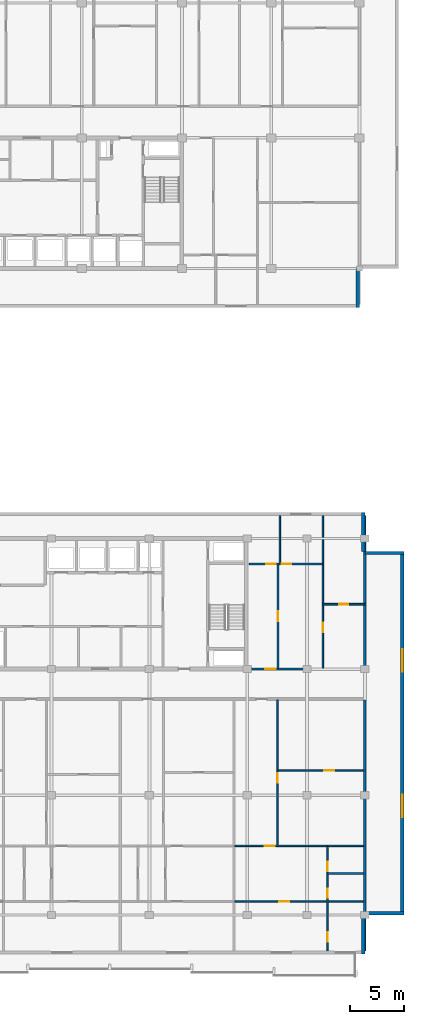
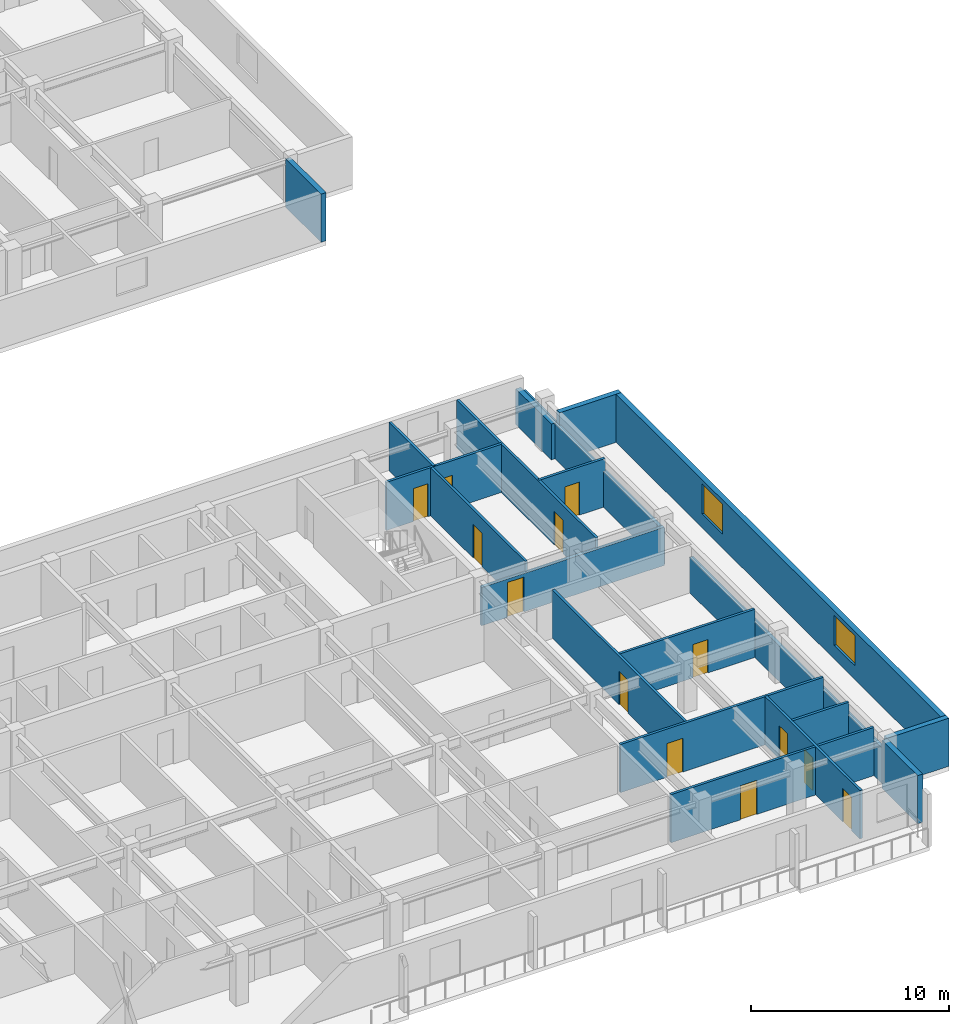
# One storey, part 9 of 21: 20 walls, 13 doors, 2 windows, 15 openings.
"""IFC4 building model written with IfcOpenShell, lengths in metres."""

from ifc_helpers import new_model, si_unit, direction, frame, frame_2d, origin, place, context, subcontext, project, spatial, rectangle, extrude, material, layer, layer_set, type_object, element, fill, save


model = new_model("IFC4")

# Units and contexts
model_context = context("Model", 3, precision=1e-05, world=origin(), true_north=direction((0.0, 1.0)))
body_context = subcontext(model_context, "Body", "Model", "MODEL_VIEW")
ifc_project = project(units=[si_unit("LENGTHUNIT", "METRE"), si_unit("AREAUNIT", "SQUARE_METRE"), si_unit("VOLUMEUNIT", "CUBIC_METRE"), si_unit("PLANEANGLEUNIT", "RADIAN"), si_unit("MASSUNIT", "GRAM", prefix="KILO")], contexts=[model_context])

# Site, building, storey
site_placement = place(None, origin())
site = spatial("IfcSite", under=ifc_project, at=site_placement, CompositionType="ELEMENT")
building_placement = place(site_placement, origin())
building = spatial("IfcBuilding", under=site, at=building_placement, Name="Korimba Cascade Residences", CompositionType="ELEMENT")
storey_placement = place(building_placement, frame((0.0, 0.0, 175.10009765625)))
storey = spatial("IfcBuildingStorey", under=building, at=storey_placement, Name="L50", CompositionType="ELEMENT", Elevation=175.10009765625)

# Walls
ifc_material_1 = material(Name="Precast concrete C40/50", Category="concrete")
ifc_layer_1 = layer(ifc_material_1, 0.300048828125)
ifc_layer_set_1 = layer_set([ifc_layer_1], Name="Precast concrete C40/50")
wall_type_1 = type_object("IfcWallType", Name="EW-STONE-300", PredefinedType="STANDARD", material=ifc_layer_set_1)
wall_1_placement = place(storey_placement, frame((128.25, 51.60009765625, 0.0), z_axis=(0.0, 0.0, 1.0), x_axis=(0.0, 1.0, 0.0)))
element("IfcWall", 1, at=wall_1_placement, inside=storey, type_object=wall_type_1, Name="L50 T1 Perimeter Stone Wall E01", PredefinedType="STANDARD", context=body_context, shape_type="SweptSolid", body=[
    extrude(rectangle(XDim=3.599853515625, YDim=0.300048828125, at=frame_2d((1.7998046875, 0.0))), origin(), (0.0, 0.0, 1.0), 2.969970703125),
])
for number, where, z_axis, x_axis, name in (
    (2, (128.75, -7.800048828125, 0.0), (0.0, 0.0, 1.0), (0.0, 1.0, 0.0), "L50 T2 Perimeter Stone Wall E01"),
    (3, (128.89990234375, -4.050048828125, 0.0), (0.0, 0.0, 1.0), (1.0, 0.0, 0.0), "L50 T2 Perimeter Stone Wall E02"),
):
    element("IfcWall", number, at=place(storey_placement, frame(where, z_axis=z_axis, x_axis=x_axis)), inside=storey, type_object=wall_type_1, Name=name, PredefinedType="STANDARD", context=body_context, shape_type="SweptSolid", body=[
        extrude(rectangle(XDim=3.60009765625, YDim=0.300048828125, at=frame_2d((1.800048828125, 0.0))), origin(), (0.0, 0.0, 1.0), 2.969970703125),
    ])

# Wall, openings, windows
wall_2_placement = place(storey_placement, frame((132.35009765625, -4.199951171875, 0.0), z_axis=(0.0, 0.0, 1.0), x_axis=(0.0, 1.0, 0.0)))
wall_2 = element("IfcWall", 4, at=wall_2_placement, inside=storey, type_object=wall_type_1, Name="L50 T2 Perimeter Stone Wall E03", PredefinedType="STANDARD", context=body_context, shape_type="SweptSolid", body=[
    extrude(rectangle(XDim=33.39990234375, YDim=0.300048828125, at=frame_2d((16.699951171875, 0.0))), origin(), (0.0, 0.0, 1.0), 2.969970703125),
])
opening_1_placement = place(wall_2_placement, frame((8.969970703125, 0.0, 0.85009765625)))
opening_1 = element("IfcOpeningElement", 5, at=opening_1_placement, cuts=wall_2, Name="Opening W-03", PredefinedType="OPENING", context=body_context, shape_type="SweptSolid", body=[
    extrude(rectangle(XDim=2.10009765625, YDim=1.85009765625, at=frame_2d((1.050048828125, 0.925048828125))), frame((0.0, 0.16015625, 0.0), z_axis=(0.0, -1.0, 0.0), x_axis=(1.0, 0.0, 0.0)), (0.0, 0.0, 1.0), 0.320068359375),
])
opening_2_placement = place(wall_2_placement, frame((22.330078125, 0.0, 0.85009765625)))
opening_2 = element("IfcOpeningElement", 6, at=opening_2_placement, cuts=wall_2, Name="Opening W-03", PredefinedType="OPENING", context=body_context, shape_type="SweptSolid", body=[
    extrude(rectangle(XDim=2.10009765625, YDim=1.85009765625, at=frame_2d((1.050048828125, 0.925048828125))), frame((0.0, 0.16015625, 0.0), z_axis=(0.0, -1.0, 0.0), x_axis=(1.0, 0.0, 0.0)), (0.0, 0.0, 1.0), 0.320068359375),
])
ifc_material_2 = material(Name="Double-Glazed Aluminium Window", Category="aluminium")
window_type = type_object("IfcWindowType", Name="WIN-CRN-2100", PartitioningType="DOUBLE_PANEL_HORIZONTAL", PredefinedType="WINDOW", material=ifc_material_2)
window_1_placement = place(opening_1_placement, origin())
window_1 = element("IfcWindow", 7, at=window_1_placement, inside=storey, type_object=window_type, Name="L50 T2 End View Window 3.1", OverallHeight=1.85009765625, OverallWidth=2.10009765625, PartitioningType="DOUBLE_PANEL_HORIZONTAL", PredefinedType="WINDOW", context=body_context, shape_type="SweptSolid", body=[
    extrude(rectangle(XDim=2.10009765625, YDim=1.85009765625, at=frame_2d((1.050048828125, 0.925048828125))), frame((0.0, 0.030029296875, 0.0), z_axis=(0.0, -1.0, 0.0), x_axis=(1.0, 0.0, 0.0)), (0.0, 0.0, 1.0), 0.06005859375),
])
fill(opening_1, window_1)
window_2_placement = place(opening_2_placement, origin())
window_2 = element("IfcWindow", 8, at=window_2_placement, inside=storey, type_object=window_type, Name="L50 T2 End View Window 3.2", OverallHeight=1.85009765625, OverallWidth=2.10009765625, PartitioningType="DOUBLE_PANEL_HORIZONTAL", PredefinedType="WINDOW", context=body_context, shape_type="SweptSolid", body=[
    extrude(rectangle(XDim=2.10009765625, YDim=1.85009765625, at=frame_2d((1.050048828125, 0.925048828125))), frame((0.0, 0.030029296875, 0.0), z_axis=(0.0, -1.0, 0.0), x_axis=(1.0, 0.0, 0.0)), (0.0, 0.0, 1.0), 0.06005859375),
])
fill(opening_2, window_2)

# Walls
wall_3_placement = place(storey_placement, frame((132.5, 29.050048828125, 0.0), z_axis=(0.0, 0.0, 1.0), x_axis=(-1.0, 0.0, 0.0)))
element("IfcWall", 9, at=wall_3_placement, inside=storey, type_object=wall_type_1, Name="L50 T2 Perimeter Stone Wall E04", PredefinedType="STANDARD", context=body_context, shape_type="SweptSolid", body=[
    extrude(rectangle(XDim=3.60009765625, YDim=0.300048828125, at=frame_2d((1.800048828125, 0.0))), origin(), (0.0, 0.0, 1.0), 2.969970703125),
])
wall_4_placement = place(storey_placement, frame((128.75, 29.199951171875, 0.0), z_axis=(0.0, 0.0, 1.0), x_axis=(0.0, 1.0, 0.0)))
element("IfcWall", 10, at=wall_4_placement, inside=storey, type_object=wall_type_1, Name="L50 T2 Perimeter Stone Wall E05", PredefinedType="STANDARD", context=body_context, shape_type="SweptSolid", body=[
    extrude(rectangle(XDim=3.60009765625, YDim=0.300048828125, at=frame_2d((1.800048828125, 0.0))), origin(), (0.0, 0.0, 1.0), 2.2001953125),
])
ifc_layer_2 = layer(ifc_material_1, 0.199951171875)
ifc_layer_set_2 = layer_set([ifc_layer_2], Name="Precast concrete C40/50")
wall_type_2 = type_object("IfcWallType", Name="WAL-IT-200", PredefinedType="PARTITIONING", material=ifc_layer_set_2)
wall_5_placement = place(storey_placement, frame((128.89990234375, 18.39990234375, 0.0), z_axis=(0.0, 0.0, 1.0), x_axis=(0.0, 1.0, 0.0)))
element("IfcWall", 11, at=wall_5_placement, inside=storey, type_object=wall_type_2, Name="L50 Partition Wall WAL-L50-T2-FE-WR", PredefinedType="PARTITIONING", context=body_context, shape_type="SweptSolid", body=[
    extrude(rectangle(XDim=14.10009765625, YDim=0.199951171875, at=frame_2d((7.050048828125, 0.0))), origin(), (0.0, 0.0, 1.0), 2.2001953125),
])

# Wall, opening, door
wall_6_placement = place(storey_placement, frame((118.25, 18.39990234375, 0.0), z_axis=(0.0, 0.0, 1.0), x_axis=(1.0, 0.0, 0.0)))
wall_6 = element("IfcWall", 12, at=wall_6_placement, inside=storey, type_object=wall_type_2, Name="L50 Partition Wall WAL-L50-T2-FE-S", PredefinedType="PARTITIONING", context=body_context, shape_type="SweptSolid", body=[
    extrude(rectangle(XDim=10.64990234375, YDim=0.199951171875, at=frame_2d((5.324951171875, 0.0))), origin(), (0.0, 0.0, 1.0), 2.357666015625),
])
opening_3_placement = place(wall_6_placement, frame((1.510009765625, 0.0, 0.0)))
opening_3 = element("IfcOpeningElement", 13, at=opening_3_placement, cuts=wall_6, Name="Opening D-UN1", PredefinedType="OPENING", context=body_context, shape_type="SweptSolid", body=[
    extrude(rectangle(XDim=0.949951171875, YDim=2.14990234375, at=frame_2d((0.47509765625, 1.074951171875))), frame((0.0, 0.10986328125, 0.0), z_axis=(0.0, -1.0, 0.0), x_axis=(1.0, 0.0, 0.0)), (0.0, 0.0, 1.0), 0.219970703125),
])
ifc_material_3 = material(Name="Fire-Rated Hardwood Apartment Entrance Door", Category="wood")
door_type_1 = type_object("IfcDoorType", Name="DR-FD60-950", OperationType="NOTDEFINED", PredefinedType="DOOR", material=ifc_material_3)
door_1_placement = place(opening_3_placement, origin())
door_1 = element("IfcDoor", 14, at=door_1_placement, inside=storey, type_object=door_type_1, Name="L50-T2-FE Entrance Door", OperationType="SINGLE_SWING_LEFT", OverallHeight=2.14990234375, OverallWidth=0.949951171875, PredefinedType="DOOR", context=body_context, shape_type="SweptSolid", body=[
    extrude(rectangle(XDim=0.949951171875, YDim=2.14990234375, at=frame_2d((0.47509765625, 1.074951171875))), frame((0.0, 0.02490234375, 0.0), z_axis=(0.0, -1.0, 0.0), x_axis=(1.0, 0.0, 0.0)), (0.0, 0.0, 1.0), 0.050048828125),
])
fill(opening_3, door_1)

# Wall
wall_7_placement = place(storey_placement, frame((128.89990234375, -7.5, 0.0), z_axis=(0.0, 0.0, 1.0), x_axis=(0.0, 1.0, 0.0)))
element("IfcWall", 15, at=wall_7_placement, inside=storey, type_object=wall_type_2, Name="L50 Partition Wall WAL-L50-T2-BNDWR", PredefinedType="PARTITIONING", context=body_context, shape_type="SweptSolid", body=[
    extrude(rectangle(XDim=23.070068359375, YDim=0.199951171875, at=frame_2d((11.53515625, 0.0))), origin(), (0.0, 0.0, 1.0), 2.2001953125),
])

# Wall, opening, door
ifc_material_4 = material(Name="Insulated Acoustic Stud Partition", Category="gypsum")
ifc_layer_3 = layer(ifc_material_4, 0.14990234375)
ifc_layer_set_3 = layer_set([ifc_layer_3], Name="Insulated Acoustic Stud Partition")
wall_type_3 = type_object("IfcWallType", Name="WAL-PART-150", PredefinedType="PARTITIONING", material=ifc_layer_set_3)
wall_8_placement = place(storey_placement, frame((125.050048828125, 24.35009765625, 0.0), z_axis=(0.0, 0.0, 1.0), x_axis=(1.0, 0.0, 0.0)))
wall_8 = element("IfcWall", 16, at=wall_8_placement, inside=storey, type_object=wall_type_3, Name="L50 Partition Wall WAL-L50-T2-FE-STH", PredefinedType="PARTITIONING", context=body_context, shape_type="SweptSolid", body=[
    extrude(rectangle(XDim=3.849853515625, YDim=0.14990234375, at=frame_2d((1.9248046875, 0.0))), origin(), (0.0, 0.0, 1.0), 2.969970703125),
])
opening_4_placement = place(wall_8_placement, frame((1.5048828125, 0.0, 0.0)))
opening_4 = element("IfcOpeningElement", 17, at=opening_4_placement, cuts=wall_8, Name="Opening D-BT1", PredefinedType="OPENING", context=body_context, shape_type="SweptSolid", body=[
    extrude(rectangle(XDim=0.840087890625, YDim=2.0400390625, at=frame_2d((0.419921875, 1.02001953125))), frame((0.0, 0.0849609375, 0.0), z_axis=(0.0, -1.0, 0.0), x_axis=(1.0, 0.0, 0.0)), (0.0, 0.0, 1.0), 0.169921875),
])
ifc_material_5 = material(Name="Moisture-Resistant Bathroom Timber Door", Category="wood")
door_type_2 = type_object("IfcDoorType", Name="DR-INT-850", OperationType="NOTDEFINED", PredefinedType="DOOR", material=ifc_material_5)
door_2_placement = place(opening_4_placement, origin())
door_2 = element("IfcDoor", 18, at=door_2_placement, inside=storey, type_object=door_type_2, Name="L50-T2-FE Dressing Store Door", OperationType="SINGLE_SWING_RIGHT", OverallHeight=2.0400390625, OverallWidth=0.840087890625, PredefinedType="DOOR", context=body_context, shape_type="SweptSolid", body=[
    extrude(rectangle(XDim=0.840087890625, YDim=2.0400390625, at=frame_2d((0.419921875, 1.02001953125))), frame((0.0, 0.02490234375, 0.0), z_axis=(0.0, -1.0, 0.0), x_axis=(1.0, 0.0, 0.0)), (0.0, 0.0, 1.0), 0.050048828125),
])
fill(opening_4, door_2)

wall_9_placement = place(storey_placement, frame((125.050048828125, 18.449951171875, 0.0), z_axis=(0.0, 0.0, 1.0), x_axis=(0.0, 1.0, 0.0)))
wall_9 = element("IfcWall", 19, at=wall_9_placement, inside=storey, type_object=wall_type_3, Name="L50 Partition Wall WAL-L50-T2-FE-STV", PredefinedType="PARTITIONING", context=body_context, shape_type="SweptSolid", body=[
    extrude(rectangle(XDim=14.050048828125, YDim=0.14990234375, at=frame_2d((7.02490234375, 0.0))), origin(), (0.0, 0.0, 1.0), 2.969970703125),
])
opening_5_placement = place(wall_9_placement, frame((3.320068359375, 0.0, 0.0)))
opening_5 = element("IfcOpeningElement", 20, at=opening_5_placement, cuts=wall_9, Name="Opening D-IN2", PredefinedType="OPENING", context=body_context, shape_type="SweptSolid", body=[
    extrude(rectangle(XDim=0.8798828125, YDim=2.06005859375, at=frame_2d((0.43994140625, 1.030029296875))), frame((0.0, 0.0849609375, 0.0), z_axis=(0.0, -1.0, 0.0), x_axis=(1.0, 0.0, 0.0)), (0.0, 0.0, 1.0), 0.169921875),
])
ifc_material_6 = material(Name="Acoustic Timber Bedroom Door", Category="wood")
door_type_3 = type_object("IfcDoorType", Name="DR-INT-880", OperationType="NOTDEFINED", PredefinedType="DOOR", material=ifc_material_6)
door_3_placement = place(opening_5_placement, origin())
door_3 = element("IfcDoor", 21, at=door_3_placement, inside=storey, type_object=door_type_3, Name="L50-T2-FE Study Door", OperationType="SINGLE_SWING_LEFT", OverallHeight=2.06005859375, OverallWidth=0.8798828125, PredefinedType="DOOR", context=body_context, shape_type="SweptSolid", body=[
    extrude(rectangle(XDim=0.8798828125, YDim=2.06005859375, at=frame_2d((0.43994140625, 1.030029296875))), frame((0.0, 0.02490234375, 0.0), z_axis=(0.0, -1.0, 0.0), x_axis=(1.0, 0.0, 0.0)), (0.0, 0.0, 1.0), 0.050048828125),
])
fill(opening_5, door_3)

wall_10_placement = place(storey_placement, frame((120.929931640625, 18.449951171875, 0.0), z_axis=(0.0, 0.0, 1.0), x_axis=(0.0, 1.0, 0.0)))
wall_10 = element("IfcWall", 22, at=wall_10_placement, inside=storey, type_object=wall_type_3, Name="L50 Partition Wall WAL-L50-T2-FE-VS", PredefinedType="PARTITIONING", context=body_context, shape_type="SweptSolid", body=[
    extrude(rectangle(XDim=9.60009765625, YDim=0.14990234375, at=frame_2d((4.800048828125, 0.0))), origin(), (0.0, 0.0, 1.0), 2.969970703125),
])
opening_6_placement = place(wall_10_placement, frame((4.340087890625, 0.0, 0.0)))
opening_6 = element("IfcOpeningElement", 23, at=opening_6_placement, cuts=wall_10, Name="Opening D-IN1", PredefinedType="OPENING", context=body_context, shape_type="SweptSolid", body=[
    extrude(rectangle(XDim=0.919921875, YDim=2.080078125, at=frame_2d((0.4599609375, 1.0400390625))), frame((0.0, 0.0849609375, 0.0), z_axis=(0.0, -1.0, 0.0), x_axis=(1.0, 0.0, 0.0)), (0.0, 0.0, 1.0), 0.169921875),
])
ifc_material_7 = material(Name="Acoustic Timber Living Door", Category="wood")
door_type_4 = type_object("IfcDoorType", Name="DR-INT-920", OperationType="NOTDEFINED", PredefinedType="DOOR", material=ifc_material_7)
door_4_placement = place(opening_6_placement, origin())
door_4 = element("IfcDoor", 24, at=door_4_placement, inside=storey, type_object=door_type_4, Name="L50-T2-FE Living Door", OperationType="SINGLE_SWING_RIGHT", OverallHeight=2.080078125, OverallWidth=0.919921875, PredefinedType="DOOR", context=body_context, shape_type="SweptSolid", body=[
    extrude(rectangle(XDim=0.919921875, YDim=2.080078125, at=frame_2d((0.4599609375, 1.0400390625))), frame((0.0, 0.02490234375, 0.0), z_axis=(0.0, -1.0, 0.0), x_axis=(1.0, 0.0, 0.0)), (0.0, 0.0, 1.0), 0.050048828125),
])
fill(opening_6, door_4)

# Wall
wall_11_placement = place(storey_placement, frame((121.10009765625, 28.050048828125, 0.0), z_axis=(0.0, 0.0, 1.0), x_axis=(0.0, 1.0, 0.0)))
element("IfcWall", 25, at=wall_11_placement, inside=storey, type_object=wall_type_3, Name="L50 Partition Wall WAL-L50-T2-FE-VN", PredefinedType="PARTITIONING", context=body_context, shape_type="SweptSolid", body=[
    extrude(rectangle(XDim=4.449951171875, YDim=0.14990234375, at=frame_2d((2.22509765625, 0.0))), origin(), (0.0, 0.0, 1.0), 2.969970703125),
])

# Wall, openings, doors
wall_12_placement = place(storey_placement, frame((118.27001953125, 28.050048828125, 0.0), z_axis=(0.0, 0.0, 1.0), x_axis=(1.0, 0.0, 0.0)))
wall_12 = element("IfcWall", 26, at=wall_12_placement, inside=storey, type_object=wall_type_3, Name="L50 Partition Wall WAL-L50-T2-FE-H", PredefinedType="PARTITIONING", context=body_context, shape_type="SweptSolid", body=[
    extrude(rectangle(XDim=6.760009765625, YDim=0.14990234375, at=frame_2d((3.3798828125, 0.0))), origin(), (0.0, 0.0, 1.0), 2.969970703125),
])
opening_7_placement = place(wall_12_placement, frame((1.58740234375, 0.0, 0.0)))
opening_7 = element("IfcOpeningElement", 27, at=opening_7_placement, cuts=wall_12, Name="Opening D-BT1", PredefinedType="OPENING", context=body_context, shape_type="SweptSolid", body=[
    extrude(rectangle(XDim=0.840087890625, YDim=2.0400390625, at=frame_2d((0.419921875, 1.02001953125))), frame((0.0, 0.0849609375, 0.0), z_axis=(0.0, -1.0, 0.0), x_axis=(1.0, 0.0, 0.0)), (0.0, 0.0, 1.0), 0.169921875),
])
opening_8_placement = place(wall_12_placement, frame((2.988037109375, 0.0, 0.0)))
opening_8 = element("IfcOpeningElement", 28, at=opening_8_placement, cuts=wall_12, Name="Opening D-IN2", PredefinedType="OPENING", context=body_context, shape_type="SweptSolid", body=[
    extrude(rectangle(XDim=0.8798828125, YDim=2.06005859375, at=frame_2d((0.43994140625, 1.030029296875))), frame((0.0, 0.0849609375, 0.0), z_axis=(0.0, -1.0, 0.0), x_axis=(1.0, 0.0, 0.0)), (0.0, 0.0, 1.0), 0.169921875),
])
door_5_placement = place(opening_7_placement, origin())
door_5 = element("IfcDoor", 29, at=door_5_placement, inside=storey, type_object=door_type_2, Name="L50-T2-FE Bathroom Door", OperationType="SINGLE_SWING_LEFT", OverallHeight=2.0400390625, OverallWidth=0.840087890625, PredefinedType="DOOR", context=body_context, shape_type="SweptSolid", body=[
    extrude(rectangle(XDim=0.840087890625, YDim=2.0400390625, at=frame_2d((0.419921875, 1.02001953125))), frame((0.0, 0.02490234375, 0.0), z_axis=(0.0, -1.0, 0.0), x_axis=(1.0, 0.0, 0.0)), (0.0, 0.0, 1.0), 0.050048828125),
])
fill(opening_7, door_5)
door_6_placement = place(opening_8_placement, origin())
door_6 = element("IfcDoor", 30, at=door_6_placement, inside=storey, type_object=door_type_3, Name="L50-T2-FE Bedroom Door", OperationType="SINGLE_SWING_RIGHT", OverallHeight=2.06005859375, OverallWidth=0.8798828125, PredefinedType="DOOR", context=body_context, shape_type="SweptSolid", body=[
    extrude(rectangle(XDim=0.8798828125, YDim=2.06005859375, at=frame_2d((0.43994140625, 1.030029296875))), frame((0.0, 0.02490234375, 0.0), z_axis=(0.0, -1.0, 0.0), x_axis=(1.0, 0.0, 0.0)), (0.0, 0.0, 1.0), 0.050048828125),
])
fill(opening_8, door_6)

# Wall, opening, door
wall_13_placement = place(storey_placement, frame((120.921875, 9.070068359375, 0.0), z_axis=(0.0, 0.0, 1.0), x_axis=(1.0, 0.0, 0.0)))
wall_13 = element("IfcWall", 31, at=wall_13_placement, inside=storey, type_object=wall_type_3, Name="L50 Partition Wall WAL-L50-T2-U05-FMH", PredefinedType="PARTITIONING", context=body_context, shape_type="SweptSolid", body=[
    extrude(rectangle(XDim=7.898193359375, YDim=0.14990234375, at=frame_2d((3.94921875, 0.0))), origin(), (0.0, 0.0, 1.0), 2.969970703125),
])
opening_9_placement = place(wall_13_placement, frame((4.267333984375, 0.0, 0.0)))
opening_9 = element("IfcOpeningElement", 32, at=opening_9_placement, cuts=wall_13, Name="Opening D-IN2", PredefinedType="OPENING", context=body_context, shape_type="SweptSolid", body=[
    extrude(rectangle(XDim=0.8798828125, YDim=2.06005859375, at=frame_2d((0.43994140625, 1.030029296875))), frame((0.0, 0.0849609375, 0.0), z_axis=(0.0, -1.0, 0.0), x_axis=(1.0, 0.0, 0.0)), (0.0, 0.0, 1.0), 0.169921875),
])
door_7_placement = place(opening_9_placement, origin())
door_7 = element("IfcDoor", 33, at=door_7_placement, inside=storey, type_object=door_type_3, Name="L50-T2-U05 Library Salon Door", OperationType="SINGLE_SWING_RIGHT", OverallHeight=2.06005859375, OverallWidth=0.8798828125, PredefinedType="DOOR", context=body_context, shape_type="SweptSolid", body=[
    extrude(rectangle(XDim=0.8798828125, YDim=2.06005859375, at=frame_2d((0.43994140625, 1.030029296875))), frame((0.0, 0.02490234375, 0.0), z_axis=(0.0, -1.0, 0.0), x_axis=(1.0, 0.0, 0.0)), (0.0, 0.0, 1.0), 0.050048828125),
])
fill(opening_9, door_7)

wall_14_placement = place(storey_placement, frame((120.86181640625, 2.18994140625, 0.0), z_axis=(0.0, 0.0, 1.0), x_axis=(0.0, 1.0, 0.0)))
wall_14 = element("IfcWall", 34, at=wall_14_placement, inside=storey, type_object=wall_type_3, Name="L50 Partition Wall WAL-L50-T2-U05-FV", PredefinedType="PARTITIONING", context=body_context, shape_type="SweptSolid", body=[
    extrude(rectangle(XDim=13.400146484375, YDim=0.14990234375, at=frame_2d((6.7001953125, 0.0))), origin(), (0.0, 0.0, 1.0), 2.969970703125),
])
opening_10_placement = place(wall_14_placement, frame((5.75, 0.0, 0.0)))
opening_10 = element("IfcOpeningElement", 35, at=opening_10_placement, cuts=wall_14, Name="Opening D-IN2", PredefinedType="OPENING", context=body_context, shape_type="SweptSolid", body=[
    extrude(rectangle(XDim=0.8798828125, YDim=2.06005859375, at=frame_2d((0.43994140625, 1.030029296875))), frame((0.0, 0.0849609375, 0.0), z_axis=(0.0, -1.0, 0.0), x_axis=(1.0, 0.0, 0.0)), (0.0, 0.0, 1.0), 0.169921875),
])
door_8_placement = place(opening_10_placement, origin())
door_8 = element("IfcDoor", 36, at=door_8_placement, inside=storey, type_object=door_type_3, Name="L50-T2-U05 Media Lounge Door", OperationType="SINGLE_SWING_LEFT", OverallHeight=2.06005859375, OverallWidth=0.8798828125, PredefinedType="DOOR", context=body_context, shape_type="SweptSolid", body=[
    extrude(rectangle(XDim=0.8798828125, YDim=2.06005859375, at=frame_2d((0.43994140625, 1.030029296875))), frame((0.0, 0.02490234375, 0.0), z_axis=(0.0, -1.0, 0.0), x_axis=(1.0, 0.0, 0.0)), (0.0, 0.0, 1.0), 0.050048828125),
])
fill(opening_10, door_8)

# Wall
wall_15_placement = place(storey_placement, frame((125.5400390625, -0.389892578125, 0.0), z_axis=(0.0, 0.0, 1.0), x_axis=(1.0, 0.0, 0.0)))
element("IfcWall", 37, at=wall_15_placement, inside=storey, type_object=wall_type_3, Name="L50 Partition Wall WAL-L50-T2-U05-BLDIV", PredefinedType="PARTITIONING", context=body_context, shape_type="SweptSolid", body=[
    extrude(rectangle(XDim=3.280029296875, YDim=0.14990234375, at=frame_2d((1.64013671875, 0.0))), origin(), (0.0, 0.0, 1.0), 2.969970703125),
])

# Wall, openings, doors
wall_16_placement = place(storey_placement, frame((125.47998046875, -7.5, 0.0), z_axis=(0.0, 0.0, 1.0), x_axis=(0.0, 1.0, 0.0)))
wall_16 = element("IfcWall", 38, at=wall_16_placement, inside=storey, type_object=wall_type_3, Name="L50 Partition Wall WAL-L50-T2-U05-V1", PredefinedType="PARTITIONING", context=body_context, shape_type="SweptSolid", body=[
    extrude(rectangle(XDim=9.610107421875, YDim=0.14990234375, at=frame_2d((4.80517578125, 0.0))), origin(), (0.0, 0.0, 1.0), 2.969970703125),
])
opening_11_placement = place(wall_16_placement, frame((4.874755859375, 0.0, 0.0)))
opening_11 = element("IfcOpeningElement", 39, at=opening_11_placement, cuts=wall_16, Name="Opening D-BT1", PredefinedType="OPENING", context=body_context, shape_type="SweptSolid", body=[
    extrude(rectangle(XDim=0.840087890625, YDim=2.0400390625, at=frame_2d((0.419921875, 1.02001953125))), frame((0.0, 0.0849609375, 0.0), z_axis=(0.0, -1.0, 0.0), x_axis=(1.0, 0.0, 0.0)), (0.0, 0.0, 1.0), 0.169921875),
])
opening_12_placement = place(wall_16_placement, frame((7.339599609375, 0.0, 0.0)))
opening_12 = element("IfcOpeningElement", 40, at=opening_12_placement, cuts=wall_16, Name="Opening D-BT1", PredefinedType="OPENING", context=body_context, shape_type="SweptSolid", body=[
    extrude(rectangle(XDim=0.840087890625, YDim=2.0400390625, at=frame_2d((0.419921875, 1.02001953125))), frame((0.0, 0.0849609375, 0.0), z_axis=(0.0, -1.0, 0.0), x_axis=(1.0, 0.0, 0.0)), (0.0, 0.0, 1.0), 0.169921875),
])
opening_13_placement = place(wall_16_placement, frame((0.859130859375, 0.0, 0.0)))
opening_13 = element("IfcOpeningElement", 41, at=opening_13_placement, cuts=wall_16, Name="Opening D-IN2", PredefinedType="OPENING", context=body_context, shape_type="SweptSolid", body=[
    extrude(rectangle(XDim=0.8798828125, YDim=2.06005859375, at=frame_2d((0.43994140625, 1.030029296875))), frame((0.0, 0.0849609375, 0.0), z_axis=(0.0, -1.0, 0.0), x_axis=(1.0, 0.0, 0.0)), (0.0, 0.0, 1.0), 0.169921875),
])
door_9_placement = place(opening_11_placement, origin())
door_9 = element("IfcDoor", 42, at=door_9_placement, inside=storey, type_object=door_type_2, Name="L50-T2-U05 Bathroom Door", OperationType="SINGLE_SWING_RIGHT", OverallHeight=2.0400390625, OverallWidth=0.840087890625, PredefinedType="DOOR", context=body_context, shape_type="SweptSolid", body=[
    extrude(rectangle(XDim=0.840087890625, YDim=2.0400390625, at=frame_2d((0.419921875, 1.02001953125))), frame((0.0, 0.02490234375, 0.0), z_axis=(0.0, -1.0, 0.0), x_axis=(1.0, 0.0, 0.0)), (0.0, 0.0, 1.0), 0.050048828125),
])
fill(opening_11, door_9)
door_10_placement = place(opening_12_placement, origin())
door_10 = element("IfcDoor", 43, at=door_10_placement, inside=storey, type_object=door_type_2, Name="L50-T2-U05 Laundry Door", OperationType="SINGLE_SWING_LEFT", OverallHeight=2.0400390625, OverallWidth=0.840087890625, PredefinedType="DOOR", context=body_context, shape_type="SweptSolid", body=[
    extrude(rectangle(XDim=0.840087890625, YDim=2.0400390625, at=frame_2d((0.419921875, 1.02001953125))), frame((0.0, 0.02490234375, 0.0), z_axis=(0.0, -1.0, 0.0), x_axis=(1.0, 0.0, 0.0)), (0.0, 0.0, 1.0), 0.050048828125),
])
fill(opening_12, door_10)
door_11_placement = place(opening_13_placement, origin())
door_11 = element("IfcDoor", 44, at=door_11_placement, inside=storey, type_object=door_type_3, Name="L50-T2-U05 Bedroom 1 Door", OperationType="SINGLE_SWING_RIGHT", OverallHeight=2.06005859375, OverallWidth=0.8798828125, PredefinedType="DOOR", context=body_context, shape_type="SweptSolid", body=[
    extrude(rectangle(XDim=0.8798828125, YDim=2.06005859375, at=frame_2d((0.43994140625, 1.030029296875))), frame((0.0, 0.02490234375, 0.0), z_axis=(0.0, -1.0, 0.0), x_axis=(1.0, 0.0, 0.0)), (0.0, 0.0, 1.0), 0.050048828125),
])
fill(opening_13, door_11)

# Wall, opening, door
wall_17_placement = place(storey_placement, frame((116.9716796875, 2.14990234375, 0.0), z_axis=(0.0, 0.0, 1.0), x_axis=(1.0, 0.0, 0.0)))
wall_17 = element("IfcWall", 45, at=wall_17_placement, inside=storey, type_object=wall_type_3, Name="L50 Partition Wall WAL-L50-T2-U05-MW", PredefinedType="PARTITIONING", context=body_context, shape_type="SweptSolid", body=[
    extrude(rectangle(XDim=11.848388671875, YDim=0.14990234375, at=frame_2d((5.92431640625, 0.0))), origin(), (0.0, 0.0, 1.0), 2.969970703125),
])
opening_14_placement = place(wall_17_placement, frame((2.719970703125, 0.0, 0.0)))
opening_14 = element("IfcOpeningElement", 46, at=opening_14_placement, cuts=wall_17, Name="Opening D-IN1", PredefinedType="OPENING", context=body_context, shape_type="SweptSolid", body=[
    extrude(rectangle(XDim=0.919921875, YDim=2.080078125, at=frame_2d((0.4599609375, 1.0400390625))), frame((0.0, 0.0849609375, 0.0), z_axis=(0.0, -1.0, 0.0), x_axis=(1.0, 0.0, 0.0)), (0.0, 0.0, 1.0), 0.169921875),
])
door_12_placement = place(opening_14_placement, origin())
door_12 = element("IfcDoor", 47, at=door_12_placement, inside=storey, type_object=door_type_4, Name="L50-T2-U05 Kitchen Archway Door", OperationType="SINGLE_SWING_LEFT", OverallHeight=2.080078125, OverallWidth=0.919921875, PredefinedType="DOOR", context=body_context, shape_type="SweptSolid", body=[
    extrude(rectangle(XDim=0.919921875, YDim=2.080078125, at=frame_2d((0.4599609375, 1.0400390625))), frame((0.0, 0.02490234375, 0.0), z_axis=(0.0, -1.0, 0.0), x_axis=(1.0, 0.0, 0.0)), (0.0, 0.0, 1.0), 0.050048828125),
])
fill(opening_14, door_12)

wall_18_placement = place(storey_placement, frame((116.9716796875, -2.949951171875, 0.0), z_axis=(0.0, 0.0, 1.0), x_axis=(1.0, 0.0, 0.0)))
wall_18 = element("IfcWall", 48, at=wall_18_placement, inside=storey, type_object=wall_type_3, Name="L50 Partition Wall WAL-L50-T2-U05-HZ", PredefinedType="PARTITIONING", context=body_context, shape_type="SweptSolid", body=[
    extrude(rectangle(XDim=11.848388671875, YDim=0.14990234375, at=frame_2d((5.92431640625, 0.0))), origin(), (0.0, 0.0, 1.0), 2.969970703125),
])
opening_15_placement = place(wall_18_placement, frame((4.06689453125, 0.0, 0.0)))
opening_15 = element("IfcOpeningElement", 49, at=opening_15_placement, cuts=wall_18, Name="Opening D-IN0", PredefinedType="OPENING", context=body_context, shape_type="SweptSolid", body=[
    extrude(rectangle(XDim=0.93994140625, YDim=2.10009765625, at=frame_2d((0.469970703125, 1.050048828125))), frame((0.0, 0.0849609375, 0.0), z_axis=(0.0, -1.0, 0.0), x_axis=(1.0, 0.0, 0.0)), (0.0, 0.0, 1.0), 0.169921875),
])
ifc_material_8 = material(Name="Acoustic Timber Living Archway Door", Category="wood")
door_type_5 = type_object("IfcDoorType", Name="DR-INT-950", OperationType="NOTDEFINED", PredefinedType="DOOR", material=ifc_material_8)
door_13_placement = place(opening_15_placement, origin())
door_13 = element("IfcDoor", 50, at=door_13_placement, inside=storey, type_object=door_type_5, Name="L50-T2-U05 Living Archway Door", OperationType="SINGLE_SWING_RIGHT", OverallHeight=2.10009765625, OverallWidth=0.93994140625, PredefinedType="DOOR", context=body_context, shape_type="SweptSolid", body=[
    extrude(rectangle(XDim=0.93994140625, YDim=2.10009765625, at=frame_2d((0.469970703125, 1.050048828125))), frame((0.0, 0.02490234375, 0.0), z_axis=(0.0, -1.0, 0.0), x_axis=(1.0, 0.0, 0.0)), (0.0, 0.0, 1.0), 0.050048828125),
])
fill(opening_15, door_13)

save(model, "model.ifc")
